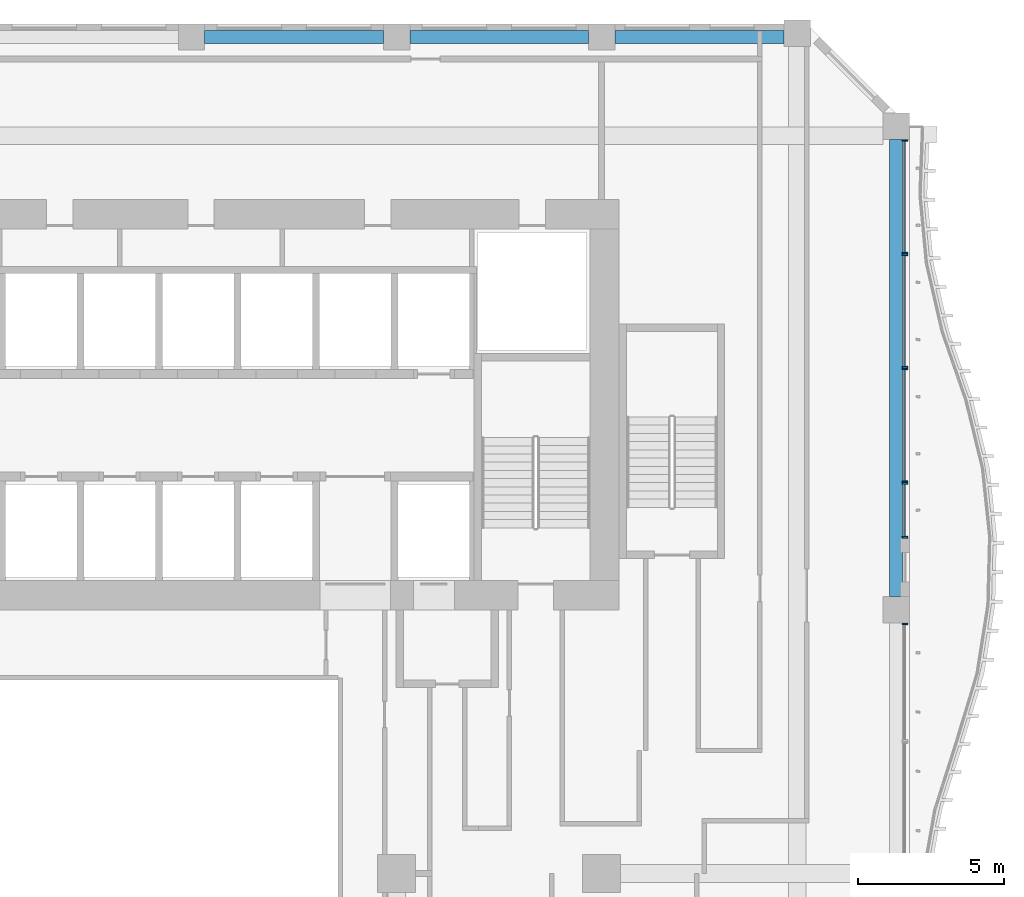
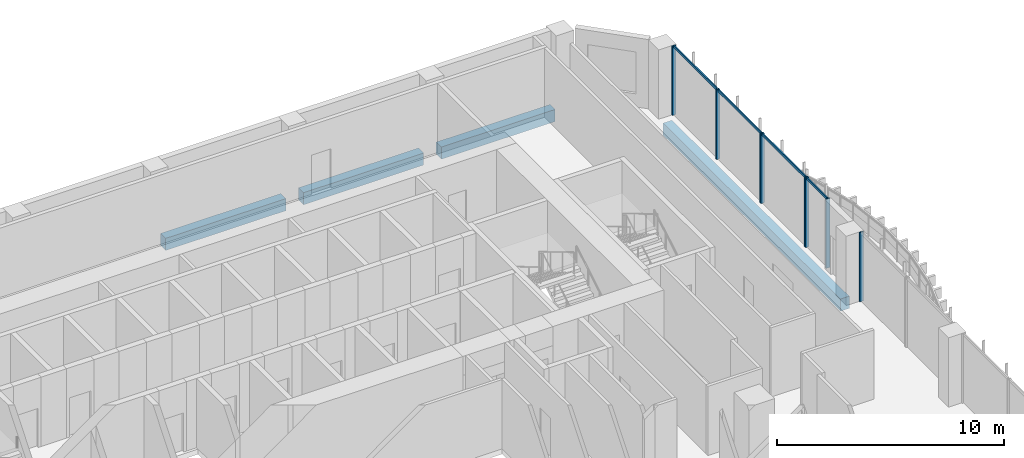
# One storey, part 10 of 27: 13 members, 4 beams, 5 elements without a shape of their own.
"""IFC4 building model written with IfcOpenShell, lengths in metres."""

from ifc_helpers import new_model, si_unit, direction, frame, origin, origin_2d, place, context, subcontext, project, spatial, rectangle, extrude, source, transform, mapped, material, material_profile, profile_set, type_object, element, aggregate, save


model = new_model("IFC4")

# Units and contexts
model_context = context("Model", 3, precision=1e-05, world=origin(), true_north=direction((0.0, 1.0)))
body_context = subcontext(model_context, "Body", "Model", "MODEL_VIEW")
ifc_project = project(units=[si_unit("LENGTHUNIT", "METRE"), si_unit("AREAUNIT", "SQUARE_METRE"), si_unit("VOLUMEUNIT", "CUBIC_METRE"), si_unit("PLANEANGLEUNIT", "RADIAN"), si_unit("MASSUNIT", "GRAM", prefix="KILO")], contexts=[model_context])

# Site, building, storey
site_placement = place(None, origin())
site = spatial("IfcSite", under=ifc_project, at=site_placement, CompositionType="ELEMENT")
building_placement = place(site_placement, origin())
building = spatial("IfcBuilding", under=site, at=building_placement, Name="Kilnfold Tower and Market Hall", CompositionType="ELEMENT")
storey_placement = place(building_placement, frame((0.0, 0.0, 43.0)))
storey = spatial("IfcBuildingStorey", under=building, at=storey_placement, Name="L09", CompositionType="ELEMENT", Elevation=43.0)

# Beams
ifc_material_1 = material(Name="Concrete C45", Category="concrete")
ifc_material_profile_1 = material_profile(ifc_material_1, rectangle(XDim=0.449951171875, YDim=0.64990234375, at=origin_2d()), Name="RC 450x650")
ifc_profile_set_1 = profile_set([ifc_material_profile_1], Name="Concrete C45")
beam_type = type_object("IfcBeamType", Name="EDGE BEAM 450X650 C45", PredefinedType="BEAM", material=ifc_profile_set_1)
shared_shape_1 = source(origin(), body_context, "Body", "SweptSolid", [
    extrude(rectangle(XDim=0.449951171875, YDim=0.64990234375, at=origin_2d()), origin(), (0.0, 0.0, 1.0), 6.10009765625),
])
for number, where, z_axis, x_axis, name in (
    (1, (3.949951171875, 27.550048828125, -0.60498046875), (1.0, 0.0, 0.0), (0.0, 1.0, 0.0), "Beam EB650-B1.27"),
    (2, (10.949951171875, 27.550048828125, -0.60498046875), (1.0, 0.0, 0.0), (0.0, 1.0, 0.0), "Beam EB650-B1.28"),
):
    element("IfcBeam", number, at=place(storey_placement, frame(where, z_axis=z_axis, x_axis=x_axis)), inside=storey, type_object=beam_type, Name=name, PredefinedType="BEAM", context=body_context, shape_type="MappedRepresentation", body=[
        mapped(shared_shape_1, transform((0.0, 0.0, 0.0))),
    ])
shared_shape_2 = source(origin(), body_context, "Body", "SweptSolid", [
    extrude(rectangle(XDim=0.449951171875, YDim=0.64990234375, at=origin_2d()), origin(), (0.0, 0.0, 1.0), 5.78173828125),
])
beam_1_placement = place(storey_placement, frame((17.949951171875, 27.550048828125, -0.60498046875), z_axis=(1.0, 0.0, 0.0), x_axis=(0.0, 1.0, 0.0)))
element("IfcBeam", 3, at=beam_1_placement, inside=storey, type_object=beam_type, Name="Beam EB650-B1.29", PredefinedType="BEAM", context=body_context, shape_type="MappedRepresentation", body=[
    mapped(shared_shape_2, transform((0.0, 0.0, 0.0))),
])
shared_shape_3 = source(origin(), body_context, "Body", "SweptSolid", [
    extrude(rectangle(XDim=0.449951171875, YDim=0.64990234375, at=origin_2d()), origin(), (0.0, 0.0, 1.0), 15.60009765625),
])
beam_2_placement = place(storey_placement, frame((27.550048828125, 8.449951171875, -0.60498046875), z_axis=(0.0, 1.0, 0.0), x_axis=(-1.0, 0.0, 0.0)))
element("IfcBeam", 4, at=beam_2_placement, inside=storey, type_object=beam_type, Name="Beam EB650-B1.59", PredefinedType="BEAM", context=body_context, shape_type="MappedRepresentation", body=[
    mapped(shared_shape_3, transform((0.0, 0.0, 0.0))),
])

# Curtain wall, member
ifc_material_2 = material(Name="Aluminium and double glazing", Category="aluminium")
curtain_wall_type = type_object("IfcCurtainWallType", Name="CW OF1 VALLEY GLAZING", PredefinedType="NOTDEFINED", material=ifc_material_2)
curtain_wall_1_placement = place(storey_placement, origin())
curtain_wall_1 = element("IfcCurtainWall", 5, at=curtain_wall_1_placement, inside=storey, type_object=curtain_wall_type, Name="Curtain wall CW1 L09 E", PredefinedType="NOTDEFINED")
ifc_material_3 = material(Name="Aluminium", Category="aluminium")
ifc_material_profile_2 = material_profile(ifc_material_3, rectangle(XDim=0.06005859375, YDim=0.179931640625, at=origin_2d()), Name="MULLION 60x180")
ifc_profile_set_2 = profile_set([ifc_material_profile_2], Name="Aluminium")
member_type_1 = type_object("IfcMemberType", Name="MULLION 60X180", PredefinedType="MULLION", material=ifc_profile_set_2)
shared_shape_4 = source(origin(), body_context, "Body", "SweptSolid", [
    extrude(rectangle(XDim=0.06005859375, YDim=0.179931640625, at=origin_2d()), origin(), (0.0, 0.0, 1.0), 3.719970703125),
])
member_1_placement = place(storey_placement, frame((27.85009765625, 7.52001953125, 0.0), z_axis=(0.0, 0.0, 1.0), x_axis=(0.0, 1.0, 0.0)))
member_1 = element("IfcMember", 6, at=member_1_placement, type_object=member_type_1, Name="CW1 mullion 2", PredefinedType="MULLION", context=body_context, shape_type="MappedRepresentation", body=[
    mapped(shared_shape_4, transform((0.0, 0.0, 0.0))),
])
aggregate(curtain_wall_1, [member_1])

# Curtain wall, members
curtain_wall_2_placement = place(storey_placement, origin())
curtain_wall_2 = element("IfcCurtainWall", 7, at=curtain_wall_2_placement, inside=storey, type_object=curtain_wall_type, Name="Curtain wall CW1 L09 E", PredefinedType="NOTDEFINED")
member_2_placement = place(storey_placement, frame((27.85009765625, 10.47998046875, 0.0), z_axis=(0.0, 0.0, 1.0), x_axis=(0.0, 1.0, 0.0)))
member_2 = element("IfcMember", 8, at=member_2_placement, type_object=member_type_1, Name="CW1 mullion 1", PredefinedType="MULLION", context=body_context, shape_type="MappedRepresentation", body=[
    mapped(shared_shape_4, transform((0.0, 0.0, 0.0))),
])
member_3_placement = place(storey_placement, frame((27.85009765625, 12.320068359375, 0.0), z_axis=(0.0, 0.0, 1.0), x_axis=(0.0, 1.0, 0.0)))
member_3 = element("IfcMember", 9, at=member_3_placement, type_object=member_type_1, Name="CW1 mullion 2", PredefinedType="MULLION", context=body_context, shape_type="MappedRepresentation", body=[
    mapped(shared_shape_4, transform((0.0, 0.0, 0.0))),
])

curtain_wall_3_placement = place(storey_placement, origin())
curtain_wall_3 = element("IfcCurtainWall", 10, at=curtain_wall_3_placement, inside=storey, type_object=curtain_wall_type, Name="Curtain wall CW1 L09 E", PredefinedType="NOTDEFINED")
member_4_placement = place(storey_placement, frame((27.85009765625, 12.3798828125, 0.0), z_axis=(0.0, 0.0, 1.0), x_axis=(0.0, 1.0, 0.0)))
member_4 = element("IfcMember", 11, at=member_4_placement, type_object=member_type_1, Name="CW1 mullion 1", PredefinedType="MULLION", context=body_context, shape_type="MappedRepresentation", body=[
    mapped(shared_shape_4, transform((0.0, 0.0, 0.0))),
])
member_5_placement = place(storey_placement, frame((27.85009765625, 16.219970703125, 0.0), z_axis=(0.0, 0.0, 1.0), x_axis=(0.0, 1.0, 0.0)))
member_5 = element("IfcMember", 12, at=member_5_placement, type_object=member_type_1, Name="CW1 mullion 2", PredefinedType="MULLION", context=body_context, shape_type="MappedRepresentation", body=[
    mapped(shared_shape_4, transform((0.0, 0.0, 0.0))),
])

curtain_wall_4_placement = place(storey_placement, origin())
curtain_wall_4 = element("IfcCurtainWall", 13, at=curtain_wall_4_placement, inside=storey, type_object=curtain_wall_type, Name="Curtain wall CW1 L09 E", PredefinedType="NOTDEFINED")
member_6_placement = place(storey_placement, frame((27.85009765625, 16.280029296875, 0.0), z_axis=(0.0, 0.0, 1.0), x_axis=(0.0, 1.0, 0.0)))
member_6 = element("IfcMember", 14, at=member_6_placement, type_object=member_type_1, Name="CW1 mullion 1", PredefinedType="MULLION", context=body_context, shape_type="MappedRepresentation", body=[
    mapped(shared_shape_4, transform((0.0, 0.0, 0.0))),
])
member_7_placement = place(storey_placement, frame((27.85009765625, 20.1201171875, 0.0), z_axis=(0.0, 0.0, 1.0), x_axis=(0.0, 1.0, 0.0)))
member_7 = element("IfcMember", 15, at=member_7_placement, type_object=member_type_1, Name="CW1 mullion 2", PredefinedType="MULLION", context=body_context, shape_type="MappedRepresentation", body=[
    mapped(shared_shape_4, transform((0.0, 0.0, 0.0))),
])

curtain_wall_5_placement = place(storey_placement, origin())
curtain_wall_5 = element("IfcCurtainWall", 16, at=curtain_wall_5_placement, inside=storey, type_object=curtain_wall_type, Name="Curtain wall CW1 L09 E", PredefinedType="NOTDEFINED")
member_8_placement = place(storey_placement, frame((27.85009765625, 20.179931640625, 0.0), z_axis=(0.0, 0.0, 1.0), x_axis=(0.0, 1.0, 0.0)))
member_8 = element("IfcMember", 17, at=member_8_placement, type_object=member_type_1, Name="CW1 mullion 1", PredefinedType="MULLION", context=body_context, shape_type="MappedRepresentation", body=[
    mapped(shared_shape_4, transform((0.0, 0.0, 0.0))),
])
member_9_placement = place(storey_placement, frame((27.85009765625, 24.02001953125, 0.0), z_axis=(0.0, 0.0, 1.0), x_axis=(0.0, 1.0, 0.0)))
member_9 = element("IfcMember", 18, at=member_9_placement, type_object=member_type_1, Name="CW1 mullion 2", PredefinedType="MULLION", context=body_context, shape_type="MappedRepresentation", body=[
    mapped(shared_shape_4, transform((0.0, 0.0, 0.0))),
])

# Member
ifc_material_4 = material(Name="Aluminium", Category="aluminium")
ifc_material_profile_3 = material_profile(ifc_material_4, rectangle(XDim=0.06005859375, YDim=0.139892578125, at=origin_2d()), Name="TRANSOM 60x140")
ifc_profile_set_3 = profile_set([ifc_material_profile_3], Name="Aluminium")
member_type_2 = type_object("IfcMemberType", Name="TRANSOM 60X140", PredefinedType="USERDEFINED", material=ifc_profile_set_3)
shared_shape_5 = source(origin(), body_context, "Body", "SweptSolid", [
    extrude(rectangle(XDim=0.06005859375, YDim=0.139892578125, at=origin_2d()), origin(), (0.0, 0.0, 1.0), 3.780029296875),
])
member_10_placement = place(storey_placement, frame((27.85009765625, 12.409912109375, 3.68994140625), z_axis=(0.0, 1.0, 0.0), x_axis=(-1.0, 0.0, 0.0)))
member_10 = element("IfcMember", 19, at=member_10_placement, type_object=member_type_2, Name="CW1 transom 1.2", ObjectType="TRANSOM", PredefinedType="USERDEFINED", context=body_context, shape_type="MappedRepresentation", body=[
    mapped(shared_shape_5, transform((0.0, 0.0, 0.0))),
])

aggregate(curtain_wall_3, [member_4, member_5, member_10])

member_11_placement = place(storey_placement, frame((27.85009765625, 16.31005859375, 3.68994140625), z_axis=(0.0, 1.0, 0.0), x_axis=(-1.0, 0.0, 0.0)))
member_11 = element("IfcMember", 20, at=member_11_placement, type_object=member_type_2, Name="CW1 transom 1.2", ObjectType="TRANSOM", PredefinedType="USERDEFINED", context=body_context, shape_type="MappedRepresentation", body=[
    mapped(shared_shape_5, transform((0.0, 0.0, 0.0))),
])

aggregate(curtain_wall_4, [member_6, member_7, member_11])

member_12_placement = place(storey_placement, frame((27.85009765625, 20.2099609375, 3.68994140625), z_axis=(0.0, 1.0, 0.0), x_axis=(-1.0, 0.0, 0.0)))
member_12 = element("IfcMember", 21, at=member_12_placement, type_object=member_type_2, Name="CW1 transom 1.2", ObjectType="TRANSOM", PredefinedType="USERDEFINED", context=body_context, shape_type="MappedRepresentation", body=[
    mapped(shared_shape_5, transform((0.0, 0.0, 0.0))),
])

aggregate(curtain_wall_5, [member_8, member_9, member_12])

shared_shape_6 = source(origin(), body_context, "Body", "SweptSolid", [
    extrude(rectangle(XDim=0.06005859375, YDim=0.139892578125, at=origin_2d()), origin(), (0.0, 0.0, 1.0), 1.780029296875),
])
member_13_placement = place(storey_placement, frame((27.85009765625, 10.510009765625, 3.68994140625), z_axis=(0.0, 1.0, 0.0), x_axis=(-1.0, 0.0, 0.0)))
member_13 = element("IfcMember", 22, at=member_13_placement, type_object=member_type_2, Name="CW1 transom 1.2", ObjectType="TRANSOM", PredefinedType="USERDEFINED", context=body_context, shape_type="MappedRepresentation", body=[
    mapped(shared_shape_6, transform((0.0, 0.0, 0.0))),
])

aggregate(curtain_wall_2, [member_2, member_3, member_13])

save(model, "model.ifc")
